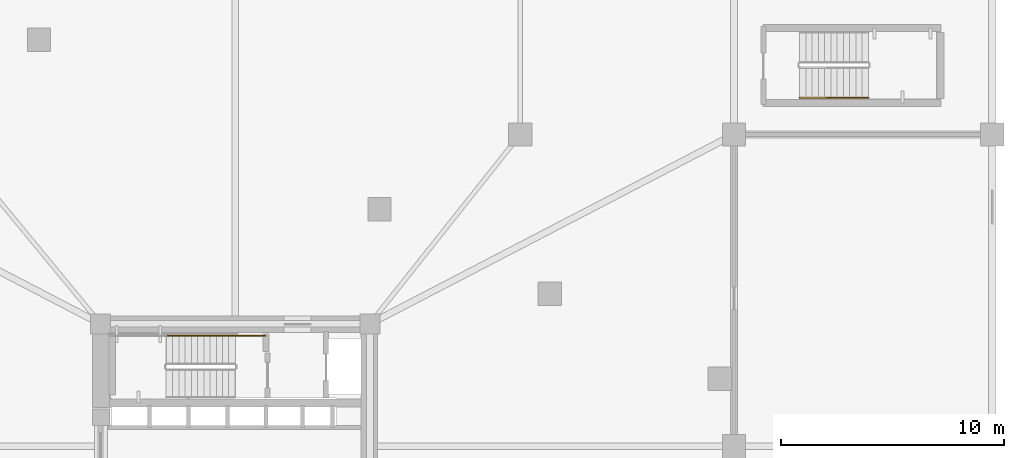
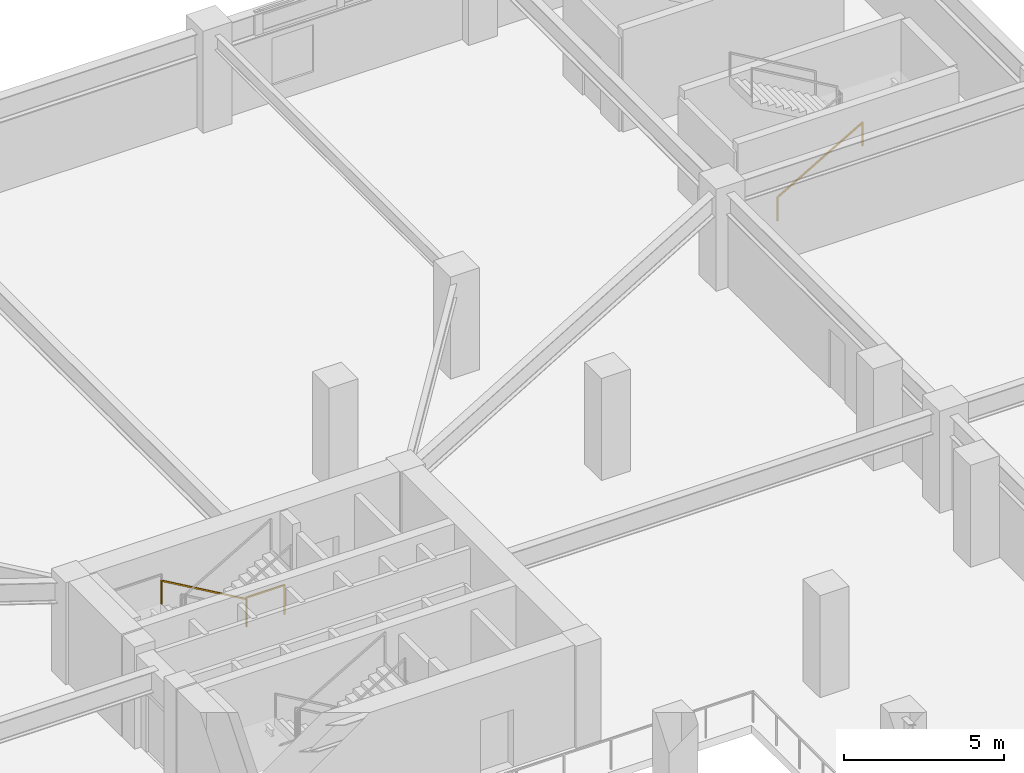
# One storey, part 14 of 15: 3 railings.
"""IFC4 building model written with IfcOpenShell, lengths in metres."""

from ifc_helpers import new_model, si_unit, direction, frame, origin, origin_2d, place, context, subcontext, project, spatial, rectangle, extrude, material, type_object, element, save


model = new_model("IFC4")

# Units and contexts
model_context = context("Model", 3, precision=1e-05, world=origin(), true_north=direction((0.0, 1.0)))
body_context = subcontext(model_context, "Body", "Model", "MODEL_VIEW")
ifc_project = project(units=[si_unit("LENGTHUNIT", "METRE"), si_unit("AREAUNIT", "SQUARE_METRE"), si_unit("VOLUMEUNIT", "CUBIC_METRE"), si_unit("PLANEANGLEUNIT", "RADIAN"), si_unit("MASSUNIT", "GRAM", prefix="KILO")], contexts=[model_context])

# Site, building, storey
site_placement = place(None, origin())
site = spatial("IfcSite", under=ifc_project, at=site_placement, CompositionType="ELEMENT")
building_placement = place(site_placement, origin())
building = spatial("IfcBuilding", under=site, at=building_placement, Name="Yunling Apex Tower", CompositionType="ELEMENT")
storey_placement = place(building_placement, frame((0.0, 0.0, 8.39990234375)))
storey = spatial("IfcBuildingStorey", under=building, at=storey_placement, Name="L03", CompositionType="ELEMENT", Elevation=8.39990234375)

# Railings
ifc_material_1 = material(Name="Steel Q355B", Category="steel")
railing_type_1 = type_object("IfcRailingType", Name="RL-GRD-1150", PredefinedType="GUARDRAIL", material=ifc_material_1)
railing_1_placement = place(storey_placement, frame((1.35009765625, 4.9599609375, 0.0)))
element("IfcRailing", 1, at=railing_1_placement, inside=storey, type_object=railing_type_1, Name="L03 ST-1 stair guard 6", PredefinedType="GUARDRAIL", context=body_context, shape_type="SweptSolid", body=[
    extrude(rectangle(XDim=0.0439453125, YDim=0.0439453125, at=origin_2d()), origin(), (0.0, 0.0, 1.0), 1.14990234375),
    extrude(rectangle(XDim=0.0439453125, YDim=0.0439453125, at=origin_2d()), frame((-1.360107421875, 0.0, 0.0)), (0.0, 0.0, 1.0), 1.14990234375),
    extrude(rectangle(XDim=0.050048828125, YDim=0.050048828125, at=origin_2d()), frame((-0.038330078125, 0.0, 1.125), z_axis=(-1.0, 0.0, 0.0), x_axis=(0.0, -1.0, 0.0)), (0.0, 0.0, 1.0), 1.283447265625),
])
ifc_material_2 = material(Name="Silver anodised aluminium", Category="aluminium")
railing_type_2 = type_object("IfcRailingType", Name="RL-HND-900", PredefinedType="HANDRAIL", material=ifc_material_2)
railing_2_placement = place(storey_placement, frame((-0.010009765625, 4.9599609375, 0.16259765625)))
element("IfcRailing", 2, at=railing_2_placement, inside=storey, type_object=railing_type_2, Name="L03 ST-1 stair handrail 1", PredefinedType="HANDRAIL", context=body_context, shape_type="SweptSolid", body=[
    extrude(rectangle(XDim=0.0439453125, YDim=0.0439453125, at=origin_2d()), origin(), (0.0, 0.0, 1.0), 0.919921875),
    extrude(rectangle(XDim=0.0439453125, YDim=0.0439453125, at=origin_2d()), frame((-3.080078125, 0.0, 1.78759765625)), (0.0, 0.0, 1.0), 0.919921875),
    extrude(rectangle(XDim=0.050048828125, YDim=0.050048828125, at=origin_2d()), frame((-0.033203125, 0.0, 0.9140625), z_axis=(-0.864890721111, 0.0, 0.501960198159), x_axis=(0.0, -1.0, 0.0)), (0.0, 0.0, 1.0), 3.484619140625),
])
railing_3_placement = place(storey_placement, frame((25.35009765625, 15.64990234375, 0.16259765625)))
element("IfcRailing", 3, at=railing_3_placement, inside=storey, type_object=railing_type_2, Name="L03 ST-P2 stair handrail 1", PredefinedType="HANDRAIL", context=body_context, shape_type="SweptSolid", body=[
    extrude(rectangle(XDim=0.0439453125, YDim=0.0439453125, at=origin_2d()), origin(), (0.0, 0.0, 1.0), 0.919921875),
    extrude(rectangle(XDim=0.0439453125, YDim=0.0439453125, at=origin_2d()), frame((3.079833984375, 0.0, 1.78759765625)), (0.0, 0.0, 1.0), 0.919921875),
    extrude(rectangle(XDim=0.050048828125, YDim=0.050048828125, at=origin_2d()), frame((0.033203125, 0.0, 0.9140625), z_axis=(0.864873446163, 0.0, 0.501989962173), x_axis=(0.0, 1.0, 0.0)), (0.0, 0.0, 1.0), 3.484375),
])

save(model, "model.ifc")
